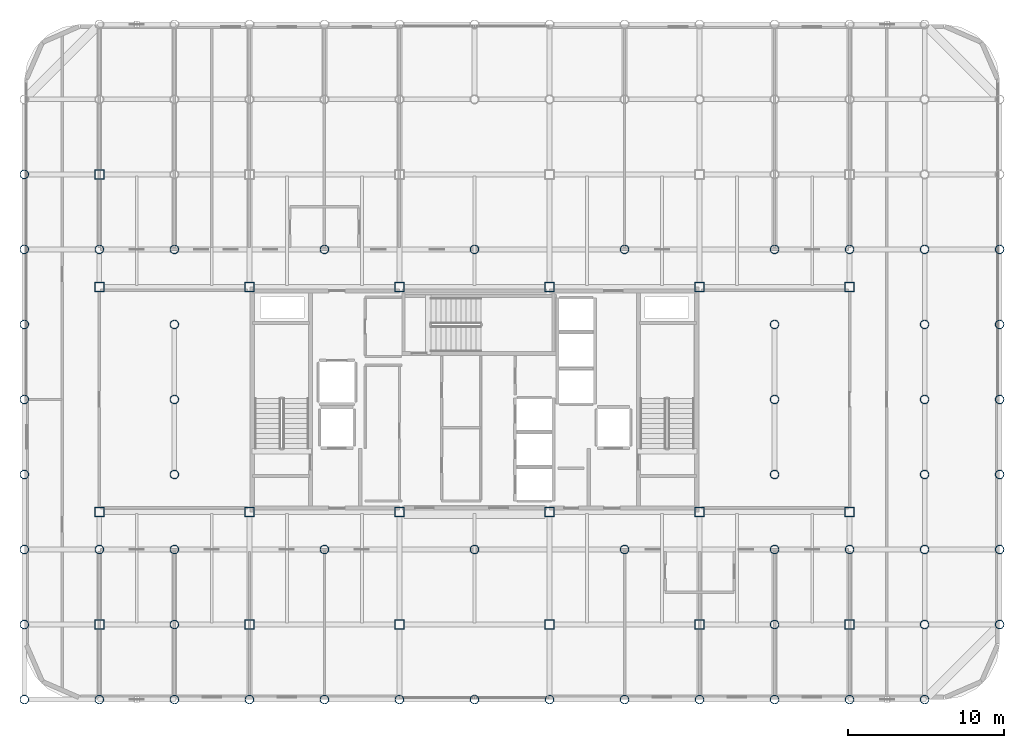
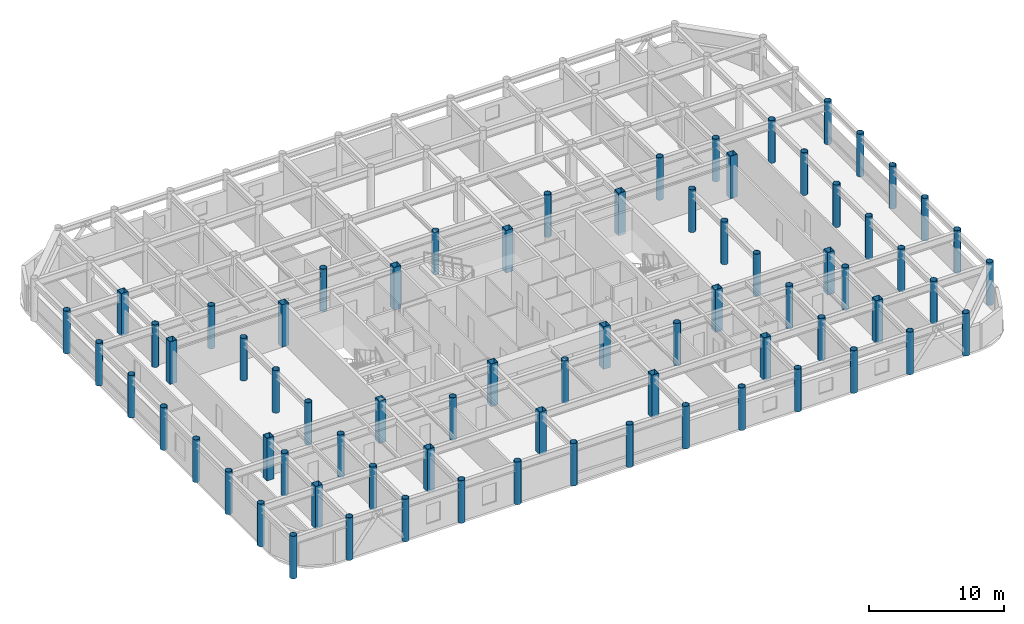
# One storey, part 1 of 22: 73 columns.
"""IFC4 building model written with IfcOpenShell, lengths in metres."""

from ifc_helpers import new_model, si_unit, direction, frame, origin, origin_2d, place, context, subcontext, project, spatial, hollow_rectangle, hollow_circle, extrude, material, material_profile, profile_set, type_object, element, save


model = new_model("IFC4")

# Units and contexts
model_context = context("Model", 3, precision=1e-05, world=origin(), true_north=direction((0.0, 1.0)))
body_context = subcontext(model_context, "Body", "Model", "MODEL_VIEW")
ifc_project = project(units=[si_unit("LENGTHUNIT", "METRE"), si_unit("AREAUNIT", "SQUARE_METRE"), si_unit("VOLUMEUNIT", "CUBIC_METRE"), si_unit("PLANEANGLEUNIT", "RADIAN"), si_unit("MASSUNIT", "GRAM", prefix="KILO")], contexts=[model_context])

# Site, building, storey
site_placement = place(None, origin())
site = spatial("IfcSite", under=ifc_project, at=site_placement, CompositionType="ELEMENT")
building_placement = place(site_placement, origin())
building = spatial("IfcBuilding", under=site, at=building_placement, Name="Kallvorn Hotel Tower", CompositionType="ELEMENT")
storey_placement = place(building_placement, frame((0.0, 0.0, 226.14990234375)))
storey = spatial("IfcBuildingStorey", under=building, at=storey_placement, Name="L56", CompositionType="ELEMENT", Elevation=226.14990234375)

# Columns
ifc_material_1 = material(Name="Structural steel S355J2H", Category="steel")
ifc_material_profile_1 = material_profile(ifc_material_1, hollow_circle(Radius=0.279541015625, WallThickness=0.02490234375, at=origin_2d()), Name="CHS 559x25")
ifc_profile_set_1 = profile_set([ifc_material_profile_1], Name="Structural steel S355J2H")
column_type_1 = type_object("IfcColumnType", Name="COL_CHS_559", PredefinedType="COLUMN", material=ifc_profile_set_1)
for number, where, z_axis, x_axis, name in (
    (1, (-28.800048828125, -19.199951171875, 0.0), (0.0, 0.0, 1.0), (1.0, 0.0, 0.0), "L56 Exoskeleton Column EC01"),
    (2, (-28.800048828125, -14.39990234375, 0.0), (0.0, 0.0, 1.0), (1.0, 0.0, 0.0), "L56 Exoskeleton Column EC02"),
    (3, (-28.800048828125, -9.60009765625, 0.0), (0.0, 0.0, 1.0), (1.0, 0.0, 0.0), "L56 Exoskeleton Column EC03"),
    (4, (-28.800048828125, -4.800048828125, 0.0), (0.0, 0.0, 1.0), (1.0, 0.0, 0.0), "L56 Exoskeleton Column EC04"),
    (5, (-28.800048828125, 0.0, 0.0), (0.0, 0.0, 1.0), (1.0, 0.0, 0.0), "L56 Exoskeleton Column EC05"),
    (6, (-28.800048828125, 4.800048828125, 0.0), (0.0, 0.0, 1.0), (1.0, 0.0, 0.0), "L56 Exoskeleton Column EC06"),
    (7, (-28.800048828125, 9.60009765625, 0.0), (0.0, 0.0, 1.0), (1.0, 0.0, 0.0), "L56 Exoskeleton Column EC07"),
    (8, (-28.800048828125, 14.39990234375, 0.0), (0.0, 0.0, 1.0), (1.0, 0.0, 0.0), "L56 Exoskeleton Column EC08"),
    (9, (-24.0, -19.199951171875, 0.0), (0.0, 0.0, 1.0), (1.0, 0.0, 0.0), "L56 Exoskeleton Column EC10"),
    (10, (-24.0, -9.60009765625, 0.0), (0.0, 0.0, 1.0), (1.0, 0.0, 0.0), "L56 Exoskeleton Column EC11"),
    (11, (-24.0, 9.60009765625, 0.0), (0.0, 0.0, 1.0), (1.0, 0.0, 0.0), "L56 Exoskeleton Column EC12"),
    (12, (-19.199951171875, -19.199951171875, 0.0), (0.0, 0.0, 1.0), (1.0, 0.0, 0.0), "L56 Exoskeleton Column EC15"),
    (13, (-19.199951171875, -14.39990234375, 0.0), (0.0, 0.0, 1.0), (1.0, 0.0, 0.0), "L56 Exoskeleton Column EC16"),
    (14, (-19.199951171875, -9.60009765625, 0.0), (0.0, 0.0, 1.0), (1.0, 0.0, 0.0), "L56 Exoskeleton Column EC17"),
    (15, (-19.199951171875, -4.800048828125, 0.0), (0.0, 0.0, 1.0), (1.0, 0.0, 0.0), "L56 Exoskeleton Column EC18"),
    (16, (-19.199951171875, 0.0, 0.0), (0.0, 0.0, 1.0), (1.0, 0.0, 0.0), "L56 Exoskeleton Column EC19"),
    (17, (-19.199951171875, 4.800048828125, 0.0), (0.0, 0.0, 1.0), (1.0, 0.0, 0.0), "L56 Exoskeleton Column EC20"),
    (18, (-19.199951171875, 9.60009765625, 0.0), (0.0, 0.0, 1.0), (1.0, 0.0, 0.0), "L56 Exoskeleton Column EC21"),
    (19, (-14.39990234375, -19.199951171875, 0.0), (0.0, 0.0, 1.0), (1.0, 0.0, 0.0), "L56 Exoskeleton Column EC25"),
    (20, (-9.60009765625, -19.199951171875, 0.0), (0.0, 0.0, 1.0), (1.0, 0.0, 0.0), "L56 Exoskeleton Column EC28"),
    (21, (-9.60009765625, -9.60009765625, 0.0), (0.0, 0.0, 1.0), (1.0, 0.0, 0.0), "L56 Exoskeleton Column EC29"),
    (22, (-9.60009765625, 9.60009765625, 0.0), (0.0, 0.0, 1.0), (1.0, 0.0, 0.0), "L56 Exoskeleton Column EC30"),
    (23, (-4.800048828125, -19.199951171875, 0.0), (0.0, 0.0, 1.0), (1.0, 0.0, 0.0), "L56 Exoskeleton Column EC33"),
    (24, (0.0, -19.199951171875, 0.0), (0.0, 0.0, 1.0), (1.0, 0.0, 0.0), "L56 Exoskeleton Column EC36"),
    (25, (0.0, -9.60009765625, 0.0), (0.0, 0.0, 1.0), (1.0, 0.0, 0.0), "L56 Exoskeleton Column EC37"),
    (26, (0.0, 9.60009765625, 0.0), (0.0, 0.0, 1.0), (1.0, 0.0, 0.0), "L56 Exoskeleton Column EC38"),
    (27, (4.800048828125, -19.199951171875, 0.0), (0.0, 0.0, 1.0), (1.0, 0.0, 0.0), "L56 Exoskeleton Column EC41"),
    (28, (9.60009765625, -19.199951171875, 0.0), (0.0, 0.0, 1.0), (1.0, 0.0, 0.0), "L56 Exoskeleton Column EC44"),
    (29, (9.60009765625, -9.60009765625, 0.0), (0.0, 0.0, 1.0), (1.0, 0.0, 0.0), "L56 Exoskeleton Column EC45"),
    (30, (9.60009765625, 9.60009765625, 0.0), (0.0, 0.0, 1.0), (1.0, 0.0, 0.0), "L56 Exoskeleton Column EC46"),
    (31, (14.39990234375, -19.199951171875, 0.0), (0.0, 0.0, 1.0), (1.0, 0.0, 0.0), "L56 Exoskeleton Column EC49"),
    (32, (19.199951171875, -19.199951171875, 0.0), (0.0, 0.0, 1.0), (1.0, 0.0, 0.0), "L56 Exoskeleton Column EC52"),
    (33, (19.199951171875, -14.39990234375, 0.0), (0.0, 0.0, 1.0), (1.0, 0.0, 0.0), "L56 Exoskeleton Column EC53"),
    (34, (19.199951171875, -9.60009765625, 0.0), (0.0, 0.0, 1.0), (1.0, 0.0, 0.0), "L56 Exoskeleton Column EC54"),
    (35, (19.199951171875, -4.800048828125, 0.0), (0.0, 0.0, 1.0), (1.0, 0.0, 0.0), "L56 Exoskeleton Column EC55"),
    (36, (19.199951171875, 0.0, 0.0), (0.0, 0.0, 1.0), (1.0, 0.0, 0.0), "L56 Exoskeleton Column EC56"),
    (37, (19.199951171875, 4.800048828125, 0.0), (0.0, 0.0, 1.0), (1.0, 0.0, 0.0), "L56 Exoskeleton Column EC57"),
    (38, (19.199951171875, 9.60009765625, 0.0), (0.0, 0.0, 1.0), (1.0, 0.0, 0.0), "L56 Exoskeleton Column EC58"),
    (39, (24.0, -19.199951171875, 0.0), (0.0, 0.0, 1.0), (1.0, 0.0, 0.0), "L56 Exoskeleton Column EC62"),
    (40, (24.0, -9.60009765625, 0.0), (0.0, 0.0, 1.0), (1.0, 0.0, 0.0), "L56 Exoskeleton Column EC63"),
    (41, (24.0, 9.60009765625, 0.0), (0.0, 0.0, 1.0), (1.0, 0.0, 0.0), "L56 Exoskeleton Column EC64"),
    (42, (28.800048828125, -19.199951171875, 0.0), (0.0, 0.0, 1.0), (1.0, 0.0, 0.0), "L56 Exoskeleton Column EC67"),
    (43, (28.800048828125, -14.39990234375, 0.0), (0.0, 0.0, 1.0), (1.0, 0.0, 0.0), "L56 Exoskeleton Column EC68"),
    (44, (28.800048828125, -9.60009765625, 0.0), (0.0, 0.0, 1.0), (1.0, 0.0, 0.0), "L56 Exoskeleton Column EC69"),
    (45, (28.800048828125, -4.800048828125, 0.0), (0.0, 0.0, 1.0), (1.0, 0.0, 0.0), "L56 Exoskeleton Column EC70"),
    (46, (28.800048828125, 0.0, 0.0), (0.0, 0.0, 1.0), (1.0, 0.0, 0.0), "L56 Exoskeleton Column EC71"),
    (47, (28.800048828125, 4.800048828125, 0.0), (0.0, 0.0, 1.0), (1.0, 0.0, 0.0), "L56 Exoskeleton Column EC72"),
    (48, (28.800048828125, 9.60009765625, 0.0), (0.0, 0.0, 1.0), (1.0, 0.0, 0.0), "L56 Exoskeleton Column EC73"),
    (49, (33.60009765625, -14.39990234375, 0.0), (0.0, 0.0, 1.0), (1.0, 0.0, 0.0), "L56 Exoskeleton Column EC77"),
    (50, (33.60009765625, -9.60009765625, 0.0), (0.0, 0.0, 1.0), (1.0, 0.0, 0.0), "L56 Exoskeleton Column EC78"),
    (51, (33.60009765625, -4.800048828125, 0.0), (0.0, 0.0, 1.0), (1.0, 0.0, 0.0), "L56 Exoskeleton Column EC79"),
    (52, (33.60009765625, 0.0, 0.0), (0.0, 0.0, 1.0), (1.0, 0.0, 0.0), "L56 Exoskeleton Column EC80"),
    (53, (33.60009765625, 4.800048828125, 0.0), (0.0, 0.0, 1.0), (1.0, 0.0, 0.0), "L56 Exoskeleton Column EC81"),
    (54, (33.60009765625, 9.60009765625, 0.0), (0.0, 0.0, 1.0), (1.0, 0.0, 0.0), "L56 Exoskeleton Column EC82"),
):
    element("IfcColumn", number, at=place(storey_placement, frame(where, z_axis=z_axis, x_axis=x_axis)), inside=storey, type_object=column_type_1, Name=name, PredefinedType="COLUMN", context=body_context, shape_type="SweptSolid", body=[
        extrude(hollow_circle(Radius=0.279541015625, WallThickness=0.02490234375, at=origin_2d()), origin(), (0.0, 0.0, 1.0), 3.85009765625),
    ])
ifc_material_2 = material(Name="Structural steel S355J2H", Category="steel")
ifc_material_profile_2 = material_profile(ifc_material_2, hollow_rectangle(XDim=0.60009765625, YDim=0.60009765625, WallThickness=0.028076171875, at=origin_2d()), Name="RHS 600x600x28")
ifc_profile_set_2 = profile_set([ifc_material_profile_2], Name="Structural steel S355J2H")
column_type_2 = type_object("IfcColumnType", Name="COL_RHS_600", PredefinedType="COLUMN", material=ifc_profile_set_2)
for number, where, z_axis, x_axis, name in (
    (55, (-24.0, -14.39990234375, 0.0), (0.0, 0.0, 1.0), (1.0, 0.0, 0.0), "L56 Inner Column IC01"),
    (56, (-24.0, -7.199951171875, 0.0), (0.0, 0.0, 1.0), (1.0, 0.0, 0.0), "L56 Inner Column IC02"),
    (57, (-24.0, 7.199951171875, 0.0), (0.0, 0.0, 1.0), (1.0, 0.0, 0.0), "L56 Inner Column IC03"),
    (58, (-24.0, 14.39990234375, 0.0), (0.0, 0.0, 1.0), (1.0, 0.0, 0.0), "L56 Inner Column IC04"),
    (59, (-14.39990234375, -14.39990234375, 0.0), (0.0, 0.0, 1.0), (1.0, 0.0, 0.0), "L56 Inner Column IC05"),
    (60, (-14.39990234375, -7.199951171875, 0.0), (0.0, 0.0, 1.0), (1.0, 0.0, 0.0), "L56 Inner Column IC06"),
    (61, (-14.39990234375, 7.199951171875, 0.0), (0.0, 0.0, 1.0), (1.0, 0.0, 0.0), "L56 Inner Column IC07"),
    (62, (-4.800048828125, -14.39990234375, 0.0), (0.0, 0.0, 1.0), (1.0, 0.0, 0.0), "L56 Inner Column IC09"),
    (63, (-4.800048828125, -7.199951171875, 0.0), (0.0, 0.0, 1.0), (1.0, 0.0, 0.0), "L56 Inner Column IC10"),
    (64, (-4.800048828125, 7.199951171875, 0.0), (0.0, 0.0, 1.0), (1.0, 0.0, 0.0), "L56 Inner Column IC11"),
    (65, (4.800048828125, -14.39990234375, 0.0), (0.0, 0.0, 1.0), (1.0, 0.0, 0.0), "L56 Inner Column IC13"),
    (66, (4.800048828125, -7.199951171875, 0.0), (0.0, 0.0, 1.0), (1.0, 0.0, 0.0), "L56 Inner Column IC14"),
    (67, (4.800048828125, 7.199951171875, 0.0), (0.0, 0.0, 1.0), (1.0, 0.0, 0.0), "L56 Inner Column IC15"),
    (68, (14.39990234375, -14.39990234375, 0.0), (0.0, 0.0, 1.0), (1.0, 0.0, 0.0), "L56 Inner Column IC17"),
    (69, (14.39990234375, -7.199951171875, 0.0), (0.0, 0.0, 1.0), (1.0, 0.0, 0.0), "L56 Inner Column IC18"),
    (70, (14.39990234375, 7.199951171875, 0.0), (0.0, 0.0, 1.0), (1.0, 0.0, 0.0), "L56 Inner Column IC19"),
    (71, (24.0, -14.39990234375, 0.0), (0.0, 0.0, 1.0), (1.0, 0.0, 0.0), "L56 Inner Column IC21"),
    (72, (24.0, -7.199951171875, 0.0), (0.0, 0.0, 1.0), (1.0, 0.0, 0.0), "L56 Inner Column IC22"),
    (73, (24.0, 7.199951171875, 0.0), (0.0, 0.0, 1.0), (1.0, 0.0, 0.0), "L56 Inner Column IC23"),
):
    element("IfcColumn", number, at=place(storey_placement, frame(where, z_axis=z_axis, x_axis=x_axis)), inside=storey, type_object=column_type_2, Name=name, PredefinedType="COLUMN", context=body_context, shape_type="SweptSolid", body=[
        extrude(hollow_rectangle(XDim=0.60009765625, YDim=0.60009765625, WallThickness=0.028076171875, at=origin_2d()), origin(), (0.0, 0.0, 1.0), 3.85009765625),
    ])

save(model, "model.ifc")
